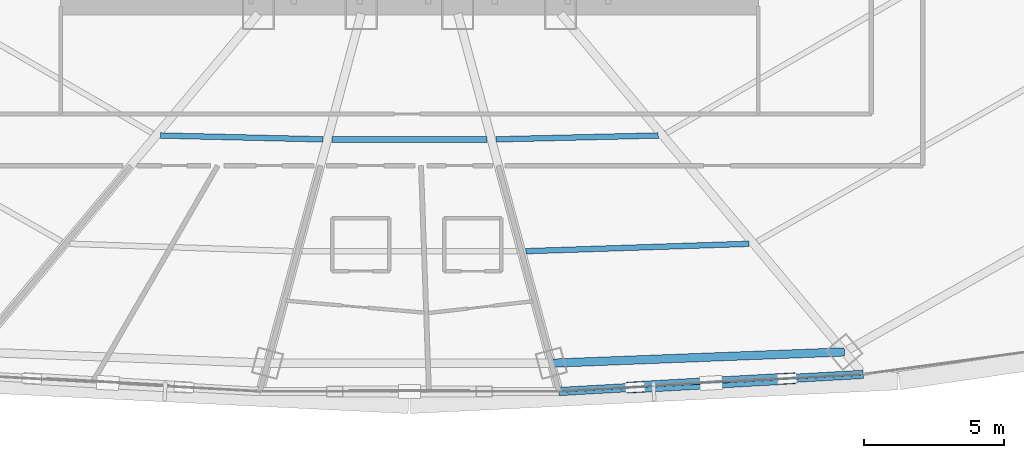
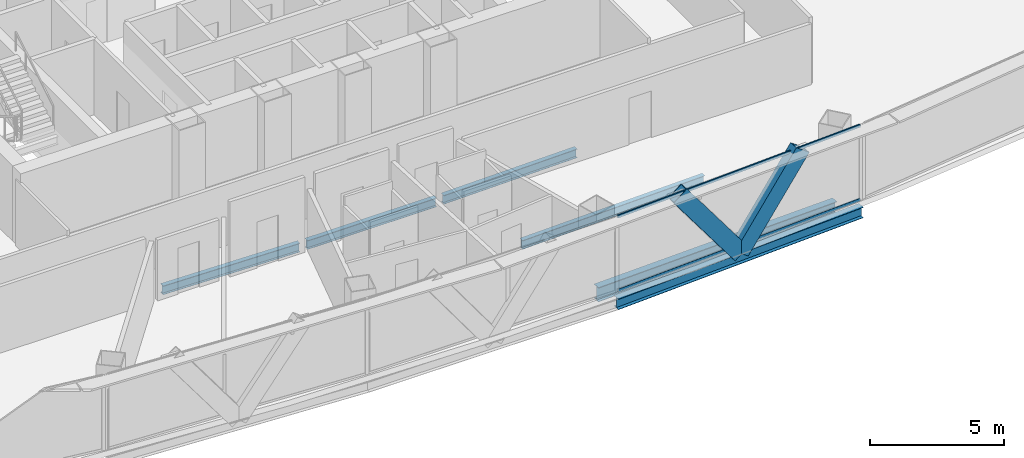
# One storey, part 13 of 39: 6 beams, 4 members, 1 element without a shape of its own.
"""IFC4 building model written with IfcOpenShell, lengths in metres."""

from ifc_helpers import new_model, si_unit, direction, frame, origin, origin_2d, place, context, subcontext, project, spatial, hollow_rectangle, i_section, extrude, source, transform, mapped, material, layer, layer_set, material_profile, profile_set, type_object, element, aggregate, save


model = new_model("IFC4")

# Units and contexts
model_context = context("Model", 3, precision=1e-05, world=origin(), true_north=direction((0.0, 1.0)))
body_context = subcontext(model_context, "Body", "Model", "MODEL_VIEW")
ifc_project = project(units=[si_unit("LENGTHUNIT", "METRE"), si_unit("AREAUNIT", "SQUARE_METRE"), si_unit("VOLUMEUNIT", "CUBIC_METRE"), si_unit("PLANEANGLEUNIT", "RADIAN"), si_unit("MASSUNIT", "GRAM", prefix="KILO"), si_unit("THERMODYNAMICTEMPERATUREUNIT", "KELVIN"), si_unit("POWERUNIT", "WATT")], contexts=[model_context])

# Site, building, storey
site_placement = place(None, origin())
site = spatial("IfcSite", under=ifc_project, at=site_placement, CompositionType="ELEMENT")
building_placement = place(site_placement, origin())
building = spatial("IfcBuilding", under=site, at=building_placement, Name="Yunzhuo Pagoda Commons", CompositionType="ELEMENT")
storey_placement = place(building_placement, frame((0.0, 0.0, 166.6298828125)))
storey = spatial("IfcBuildingStorey", under=building, at=storey_placement, Name="L42", CompositionType="ELEMENT", Elevation=166.6298828125)

# Beams
ifc_material_1 = material(Name="Structural steel Q355B", Category="steel")
ifc_material_profile_1 = material_profile(ifc_material_1, i_section(OverallWidth=0.300048828125, OverallDepth=0.64990234375, WebThickness=0.012939453125, FlangeThickness=0.02197265625, at=origin_2d()), Name="Structural steel Q355B")
ifc_profile_set_1 = profile_set([ifc_material_profile_1], Name="Structural steel Q355B")
beam_type_1 = type_object("IfcBeamType", Name="B-RG2 Beam HN 650x300x13x22", PredefinedType="BEAM", material=ifc_profile_set_1)
shared_shape_1 = source(origin(), body_context, "Body", "SweptSolid", [
    extrude(i_section(OverallWidth=0.300048828125, OverallDepth=0.64990234375, WebThickness=0.012939453125, FlangeThickness=0.02197265625, at=origin_2d()), origin(), (0.0, 0.0, 1.0), 10.5078125),
])
beam_1_placement = place(storey_placement, frame((53.085205078125, 14.7216796875, -0.5849609375), z_axis=(0.999258632812, 0.03849915259, 0.0), x_axis=(-0.03849915259, 0.999258632812, 0.0)))
element("IfcBeam", 1, at=beam_1_placement, inside=storey, type_object=beam_type_1, Name="L42 column-ring beam 3", PredefinedType="BEAM", context=body_context, shape_type="MappedRepresentation", body=[
    mapped(shared_shape_1, transform((0.0, 0.0, 0.0), scale=1.0)),
])
ifc_material_profile_2 = material_profile(ifc_material_1, i_section(OverallWidth=0.199951171875, OverallDepth=0.39990234375, WebThickness=0.008056640625, FlangeThickness=0.012939453125, at=origin_2d()), Name="Structural steel Q355B")
ifc_profile_set_2 = profile_set([ifc_material_profile_2], Name="Structural steel Q355B")
beam_type_2 = type_object("IfcBeamType", Name="B-JS1 Joist HN 400x200x8x13", PredefinedType="JOIST", material=ifc_profile_set_2)
shared_shape_2 = source(origin(), body_context, "Body", "SweptSolid", [
    extrude(i_section(OverallWidth=0.199951171875, OverallDepth=0.39990234375, WebThickness=0.008056640625, FlangeThickness=0.012939453125, at=origin_2d()), origin(), (0.0, 0.0, 1.0), 5.821533203125),
])
for number, where, z_axis, x_axis, name in (
    (2, (39.08447265625, 22.881591796875, -0.4599609375), (0.999718239795, -0.023736912649, 0.0), (0.023736912649, 0.999718239795, 0.0), "L42 composite ring joist 1.1"),
    (3, (51.095703125, 22.743408203125, -0.4599609375), (0.999718239795, 0.023736912649, 0.0), (-0.023736912649, 0.999718239795, 0.0), "L42 composite ring joist 1.3"),
):
    element("IfcBeam", number, at=place(storey_placement, frame(where, z_axis=z_axis, x_axis=x_axis)), inside=storey, type_object=beam_type_2, Name=name, PredefinedType="JOIST", context=body_context, shape_type="MappedRepresentation", body=[
        mapped(shared_shape_2, transform((0.0, 0.0, 0.0), scale=1.0)),
    ])
shared_shape_3 = source(origin(), body_context, "Body", "SweptSolid", [
    extrude(i_section(OverallWidth=0.199951171875, OverallDepth=0.39990234375, WebThickness=0.008056640625, FlangeThickness=0.012939453125, at=origin_2d()), origin(), (0.0, 0.0, 1.0), 8.00537109375),
])
beam_2_placement = place(storey_placement, frame((52.169921875, 18.73583984375, -0.4599609375), z_axis=(0.999453403952, 0.033058937199, 0.0), x_axis=(-0.033058937199, 0.999453403952, 0.0)))
element("IfcBeam", 4, at=beam_2_placement, inside=storey, type_object=beam_type_2, Name="L42 composite ring joist 2.3", PredefinedType="JOIST", context=body_context, shape_type="MappedRepresentation", body=[
    mapped(shared_shape_3, transform((0.0, 0.0, 0.0), scale=1.0)),
])
shared_shape_4 = source(origin(), body_context, "Body", "SweptSolid", [
    extrude(i_section(OverallWidth=0.199951171875, OverallDepth=0.39990234375, WebThickness=0.008056640625, FlangeThickness=0.012939453125, at=origin_2d()), origin(), (0.0, 0.0, 1.0), 5.5556640625),
])
beam_3_placement = place(storey_placement, frame((45.22216796875, 22.73974609375, -0.4599609375), z_axis=(1.0, 0.0, 0.0), x_axis=(0.0, 1.0, 0.0)))
element("IfcBeam", 5, at=beam_3_placement, inside=storey, type_object=beam_type_2, Name="L42 composite ring joist 1.2", PredefinedType="JOIST", context=body_context, shape_type="MappedRepresentation", body=[
    mapped(shared_shape_4, transform((0.0, 0.0, 0.0), scale=1.0)),
])
ifc_material_profile_3 = material_profile(ifc_material_1, i_section(OverallWidth=0.300048828125, OverallDepth=0.488037109375, WebThickness=0.010986328125, FlangeThickness=0.01806640625, at=origin_2d()), Name="Structural steel Q355B")
ifc_profile_set_3 = profile_set([ifc_material_profile_3], Name="Structural steel Q355B")
beam_type_3 = type_object("IfcBeamType", Name="B-SP1 Beam HM 488x300x11x18", PredefinedType="BEAM", material=ifc_profile_set_3)
shared_shape_5 = source(origin(), body_context, "Body", "SweptSolid", [
    extrude(i_section(OverallWidth=0.300048828125, OverallDepth=0.488037109375, WebThickness=0.010986328125, FlangeThickness=0.01806640625, at=origin_2d()), origin(), (0.0, 0.0, 1.0), 10.920166015625),
])
beam_4_placement = place(storey_placement, frame((53.357177734375, 13.707275390625, -0.50390625), z_axis=(0.998412941388, 0.056316946557, 0.0), x_axis=(-0.056316946557, 0.998412941388, 0.0)))
element("IfcBeam", 6, at=beam_4_placement, inside=storey, type_object=beam_type_3, Name="L42 facade edge spandrel beam F1.3", PredefinedType="BEAM", context=body_context, shape_type="MappedRepresentation", body=[
    mapped(shared_shape_5, transform((0.0, 0.0, 0.0), scale=1.0)),
])

# Members
ifc_material_profile_4 = material_profile(ifc_material_1, hollow_rectangle(XDim=0.39990234375, YDim=0.719970703125, WallThickness=0.02392578125, at=origin_2d()), Name="Structural steel Q355B")
ifc_profile_set_4 = profile_set([ifc_material_profile_4], Name="Structural steel Q355B")
member_type_1 = type_object("IfcMemberType", Name="M-DL2 Brace BOX 720x400x24", PredefinedType="BRACE", material=ifc_profile_set_4)
shared_shape_6 = source(origin(), body_context, "Body", "SweptSolid", [
    extrude(hollow_rectangle(XDim=0.39990234375, YDim=0.719970703125, WallThickness=0.02392578125, at=origin_2d()), origin(), (0.0, 0.0, 1.0), 4.58203125),
])
for number, where, z_axis, x_axis, name in (
    (7, (58.80859375, 14.0146484375, -0.259765625), (-0.594851318924, -0.033568284748, 0.803134533334), (0.05634174772, -0.998411542133, 0.0), "L42 facade diamond brace F1.3L"),
    (8, (58.80859375, 14.0146484375, -0.259765625), (0.594852382045, 0.033515061654, 0.803135968699), (-0.056252599591, 0.998416568893, 0.0), "L42 facade diamond brace F1.3R"),
):
    element("IfcMember", number, at=place(storey_placement, frame(where, z_axis=z_axis, x_axis=x_axis)), inside=storey, type_object=member_type_1, Name=name, PredefinedType="BRACE", context=body_context, shape_type="MappedRepresentation", body=[
        mapped(shared_shape_6, transform((0.0, 0.0, 0.0), scale=1.0)),
    ])

# Curtain wall, members
ifc_material_2 = material(Name="Anodized aluminium 6063-T6", Category="aluminium")
ifc_layer = layer(ifc_material_2, 0.14990234375)
ifc_layer_set = layer_set([ifc_layer], Name="Anodized aluminium 6063-T6")
curtain_wall_type = type_object("IfcCurtainWallType", Name="CW-MID Mid-Zone Ribbon Curtain Wall", PredefinedType="NOTDEFINED", material=ifc_layer_set)
curtain_wall_placement = place(storey_placement, origin())
curtain_wall = element("IfcCurtainWall", 9, at=curtain_wall_placement, inside=storey, type_object=curtain_wall_type, Name="L42 curtain wall CW-L42-F1B4", PredefinedType="NOTDEFINED")
ifc_material_profile_5 = material_profile(ifc_material_2, hollow_rectangle(XDim=0.054931640625, YDim=0.1298828125, WallThickness=0.00341796875, at=origin_2d()), Name="Anodized aluminium 6063-T6")
ifc_profile_set_5 = profile_set([ifc_material_profile_5], Name="Anodized aluminium 6063-T6")
member_type_2 = type_object("IfcMemberType", Name="CW-MID-T Transom RHS 130x55x3.5", PredefinedType="USERDEFINED", material=ifc_profile_set_5)
shared_shape_7 = source(origin(), body_context, "Body", "SweptSolid", [
    extrude(hollow_rectangle(XDim=0.054931640625, YDim=0.1298828125, WallThickness=0.00341796875, at=origin_2d()), origin(), (0.0, 0.0, 1.0), 10.80029296875),
])
member_1_placement = place(storey_placement, frame((53.4169921875, 13.710693359375, 0.027587890625), z_axis=(0.998413399978, 0.05630881587, 0.0), x_axis=(-0.05630881587, 0.998413399978, 0.0)))
member_1 = element("IfcMember", 10, at=member_1_placement, type_object=member_type_2, Name="CW transom 1.1", ObjectType="TRANSOM", PredefinedType="USERDEFINED", context=body_context, shape_type="MappedRepresentation", body=[
    mapped(shared_shape_7, transform((0.0, 0.0, 0.0), scale=1.0)),
])
member_2_placement = place(storey_placement, frame((53.4169921875, 13.710693359375, 3.392578125), z_axis=(0.998413399978, 0.05630881587, 0.0), x_axis=(-0.05630881587, 0.998413399978, 0.0)))
member_2 = element("IfcMember", 11, at=member_2_placement, type_object=member_type_2, Name="CW transom 1.2", ObjectType="TRANSOM", PredefinedType="USERDEFINED", context=body_context, shape_type="MappedRepresentation", body=[
    mapped(shared_shape_7, transform((0.0, 0.0, 0.0), scale=1.0)),
])
aggregate(curtain_wall, [member_1, member_2])

save(model, "model.ifc")
